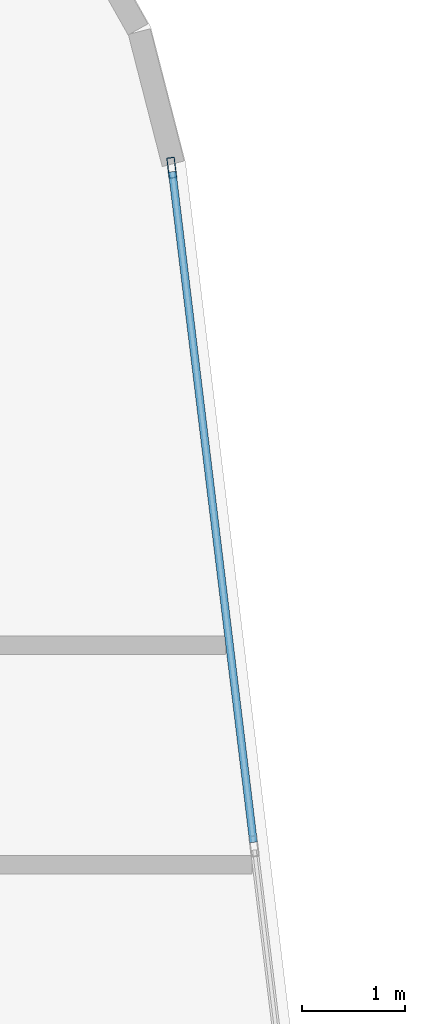
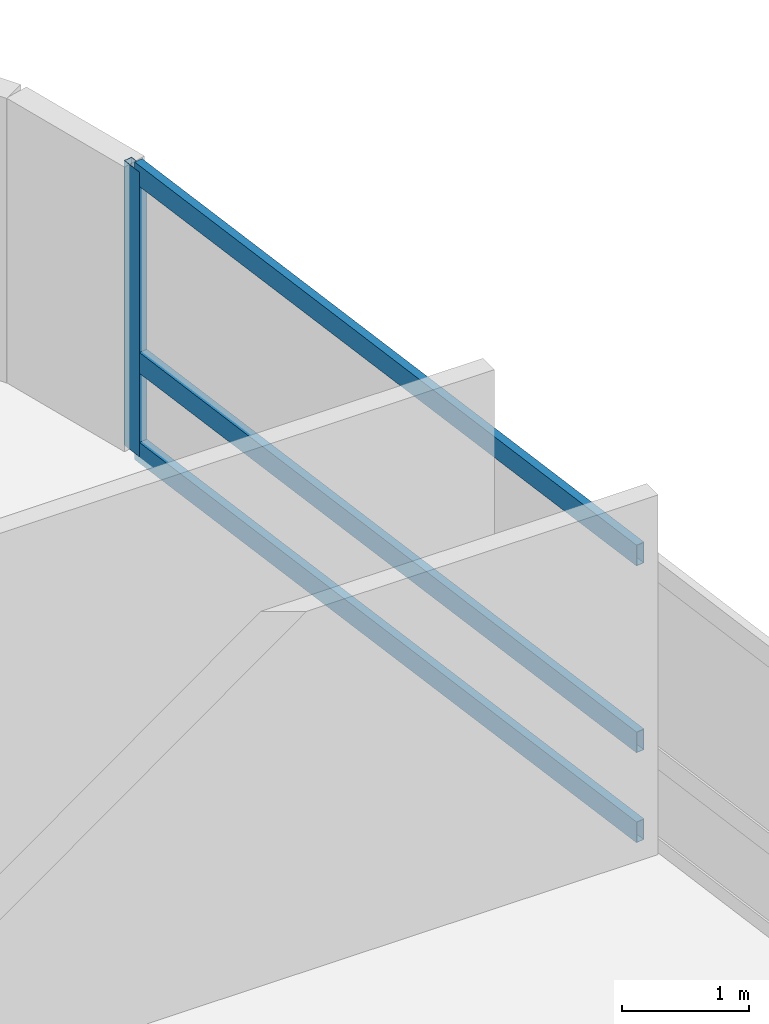
# One storey, part 13 of 23: 4 members, 1 element without a shape of its own.
"""IFC4 building model written with IfcOpenShell, lengths in metres."""

from ifc_helpers import new_model, si_unit, direction, frame, origin, origin_2d, place, context, subcontext, project, spatial, hollow_rectangle, extrude, material, layer, layer_set, material_profile, profile_set, type_object, element, aggregate, save


model = new_model("IFC4")

# Units and contexts
model_context = context("Model", 3, precision=1e-05, world=origin(), true_north=direction((0.0, 1.0)))
body_context = subcontext(model_context, "Body", "Model", "MODEL_VIEW")
ifc_project = project(units=[si_unit("LENGTHUNIT", "METRE"), si_unit("AREAUNIT", "SQUARE_METRE"), si_unit("VOLUMEUNIT", "CUBIC_METRE"), si_unit("PLANEANGLEUNIT", "RADIAN"), si_unit("MASSUNIT", "GRAM", prefix="KILO")], contexts=[model_context])

# Site, building, storey
site_placement = place(None, origin())
site = spatial("IfcSite", under=ifc_project, at=site_placement, CompositionType="ELEMENT")
building_placement = place(site_placement, origin())
building = spatial("IfcBuilding", under=site, at=building_placement, Name="Varnelok Gate Tower", CompositionType="ELEMENT")
storey_placement = place(building_placement, frame((0.0, 0.0, 182.0)))
storey = spatial("IfcBuildingStorey", under=building, at=storey_placement, Name="L46", CompositionType="ELEMENT", Elevation=182.0)

# Curtain wall, members
ifc_material = material(Name="Anodized Aluminum Alloy 6063-T6", Category="aluminium")
ifc_layer = layer(ifc_material, 0.179931640625)
ifc_layer_set = layer_set([ifc_layer], Name="Anodized Aluminum Alloy 6063-T6")
curtain_wall_type = type_object("IfcCurtainWallType", Name="CW4-RESIDENCE-VISION", PredefinedType="USERDEFINED", material=ifc_layer_set)
curtain_wall_placement = place(storey_placement, origin())
curtain_wall = element("IfcCurtainWall", 1, at=curtain_wall_placement, inside=storey, type_object=curtain_wall_type, Name="L46 East End Vision Curtain Wall", ObjectType="UNITISED CURTAIN WALL", PredefinedType="USERDEFINED")
ifc_material_profile_1 = material_profile(ifc_material, hollow_rectangle(XDim=0.074951171875, YDim=0.199951171875, WallThickness=0.00390625, at=origin_2d()), Name="ALU200X75X4")
ifc_profile_set_1 = profile_set([ifc_material_profile_1], Name="Anodized Aluminum Alloy 6063-T6")
member_type_1 = type_object("IfcMemberType", Name="CW-MULL-200", PredefinedType="MULLION", material=ifc_profile_set_1)
member_1_placement = place(storey_placement, frame((72.09912109375, 46.07275390625, 0.0), z_axis=(0.0, 0.0, 1.0), x_axis=(0.992732188751, 0.120344511371, 0.0)))
member_1 = element("IfcMember", 2, at=member_1_placement, type_object=member_type_1, Name="CW4 mullion 1", PredefinedType="MULLION", context=body_context, shape_type="SweptSolid", body=[
    extrude(hollow_rectangle(XDim=0.074951171875, YDim=0.199951171875, WallThickness=0.00390625, at=origin_2d()), origin(), (0.0, 0.0, 1.0), 2.72998046875),
])
ifc_material_profile_2 = material_profile(ifc_material, hollow_rectangle(XDim=0.074951171875, YDim=0.199951171875, WallThickness=0.00390625, at=origin_2d()), Name="ALU200X75X4")
ifc_profile_set_2 = profile_set([ifc_material_profile_2], Name="Anodized Aluminum Alloy 6063-T6")
member_type_2 = type_object("IfcMemberType", Name="CW-TRAN-200", PredefinedType="USERDEFINED", material=ifc_profile_set_2)
member_2_placement = place(storey_placement, frame((72.103759765625, 46.035400390625, 0.03759765625), z_axis=(0.120332477695, -0.992733647466, 0.0), x_axis=(0.992733647466, 0.120332477695, 0.0)))
member_2 = element("IfcMember", 3, at=member_2_placement, type_object=member_type_2, Name="CW4 transom 1.1", ObjectType="TRANSOM", PredefinedType="USERDEFINED", context=body_context, shape_type="SweptSolid", body=[
    extrude(hollow_rectangle(XDim=0.074951171875, YDim=0.199951171875, WallThickness=0.00390625, at=origin_2d()), origin(), (0.0, 0.0, 1.0), 6.5673828125),
])
member_3_placement = place(storey_placement, frame((72.103759765625, 46.035400390625, 0.89990234375), z_axis=(0.120332477695, -0.992733647466, 0.0), x_axis=(0.992733647466, 0.120332477695, 0.0)))
member_3 = element("IfcMember", 4, at=member_3_placement, type_object=member_type_2, Name="CW4 transom 1.2", ObjectType="TRANSOM", PredefinedType="USERDEFINED", context=body_context, shape_type="SweptSolid", body=[
    extrude(hollow_rectangle(XDim=0.074951171875, YDim=0.199951171875, WallThickness=0.00390625, at=origin_2d()), origin(), (0.0, 0.0, 1.0), 6.5673828125),
])
member_4_placement = place(storey_placement, frame((72.103759765625, 46.035400390625, 2.6923828125), z_axis=(0.120332477695, -0.992733647466, 0.0), x_axis=(0.992733647466, 0.120332477695, 0.0)))
member_4 = element("IfcMember", 5, at=member_4_placement, type_object=member_type_2, Name="CW4 transom 1.3", ObjectType="TRANSOM", PredefinedType="USERDEFINED", context=body_context, shape_type="SweptSolid", body=[
    extrude(hollow_rectangle(XDim=0.074951171875, YDim=0.199951171875, WallThickness=0.00390625, at=origin_2d()), origin(), (0.0, 0.0, 1.0), 6.5673828125),
])
aggregate(curtain_wall, [member_1, member_2, member_3, member_4])

save(model, "model.ifc")
